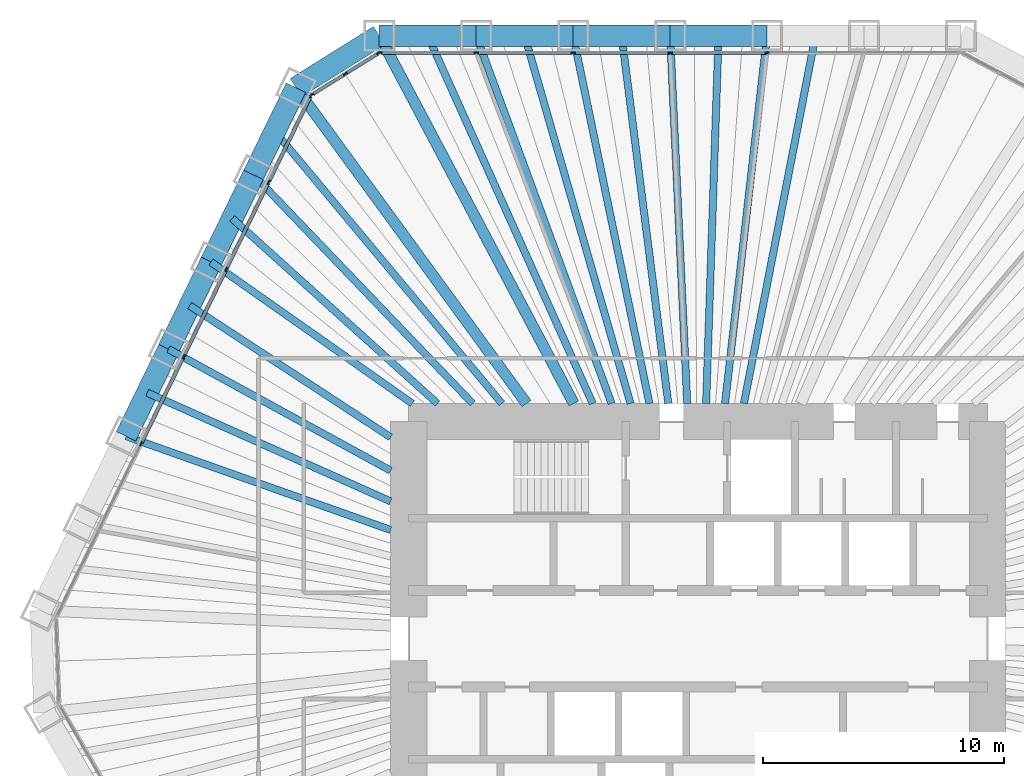
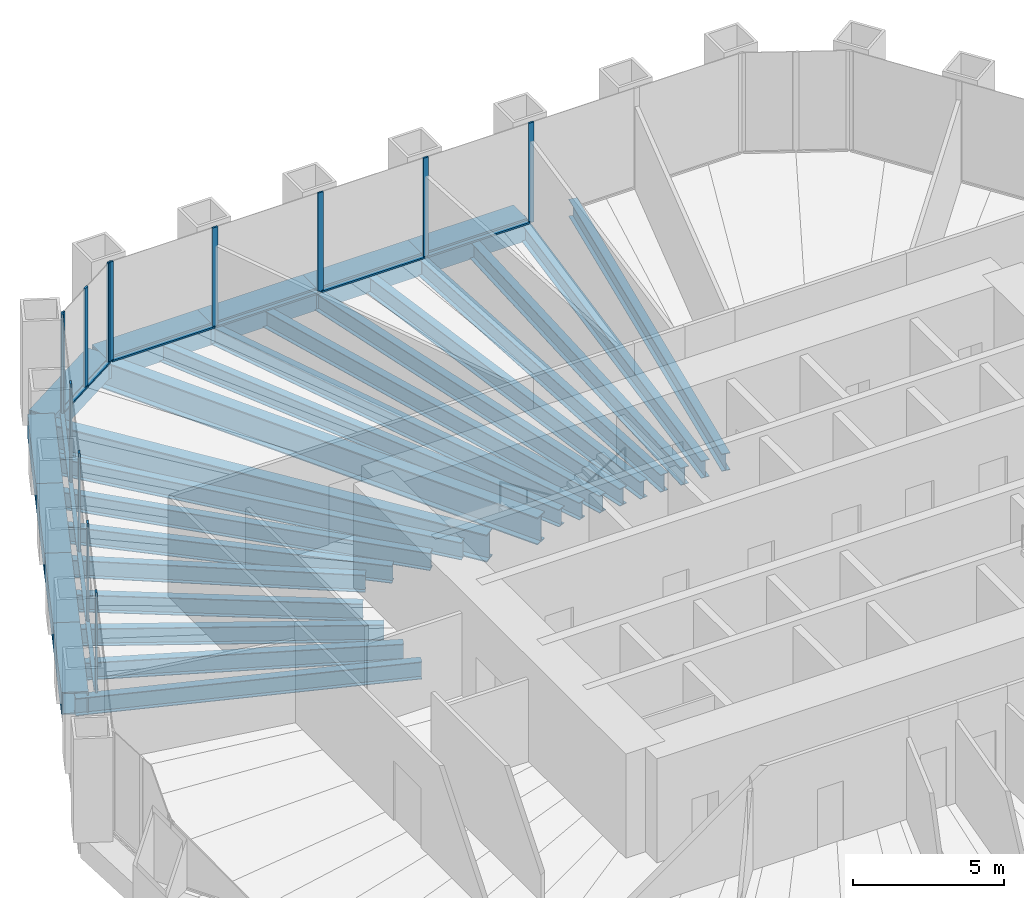
# One storey, part 6 of 13: 28 beams, 23 members, 3 elements without a shape of their own.
"""IFC4 building model written with IfcOpenShell, lengths in metres."""

from ifc_helpers import new_model, si_unit, direction, frame, origin, origin_2d, place, context, subcontext, project, spatial, rectangle, hollow_rectangle, i_section, extrude, material, material_profile, profile_set, type_object, element, aggregate, save


model = new_model("IFC4")

# Units and contexts
model_context = context("Model", 3, precision=1e-05, world=origin(), true_north=direction((0.0, 1.0)))
body_context = subcontext(model_context, "Body", "Model", "MODEL_VIEW")
ifc_project = project(units=[si_unit("LENGTHUNIT", "METRE"), si_unit("AREAUNIT", "SQUARE_METRE"), si_unit("VOLUMEUNIT", "CUBIC_METRE"), si_unit("PLANEANGLEUNIT", "RADIAN"), si_unit("MASSUNIT", "GRAM", prefix="KILO")], contexts=[model_context])

# Site, building, storey
site_placement = place(None, origin())
site = spatial("IfcSite", under=ifc_project, at=site_placement, CompositionType="ELEMENT")
building_placement = place(site_placement, origin())
building = spatial("IfcBuilding", under=site, at=building_placement, Name="Qingtian Harvest Tower", CompositionType="ELEMENT")
storey_placement = place(building_placement, frame((0.0, 0.0, 111.39990234375)))
storey = spatial("IfcBuildingStorey", under=building, at=storey_placement, Name="L22", CompositionType="ELEMENT", Elevation=111.39990234375)

# Beams
ifc_material_1 = material(Name="Steel SM570MC", Category="steel")
ifc_material_profile_1 = material_profile(ifc_material_1, i_section(OverallWidth=0.449951171875, OverallDepth=1.10009765625, WebThickness=0.02197265625, FlangeThickness=0.044921875, at=origin_2d()), Name="H1100x450x22x45")
ifc_profile_set_1 = profile_set([ifc_material_profile_1], Name="Steel SM570MC")
beam_type_1 = type_object("IfcBeamType", Name="Corner floor beam FB8 H1100x450x22x45", PredefinedType="BEAM", material=ifc_profile_set_1)
beam_1_placement = place(storey_placement, frame((-13.2216796875, 25.0, -0.719970703125), z_axis=(0.46750989692, -0.88398783718, 0.0), x_axis=(0.88398783718, 0.46750989692, 0.0)))
element("IfcBeam", 1, at=beam_1_placement, inside=storey, type_object=beam_type_1, Name="Floor beam FB8 N0", PredefinedType="BEAM", context=body_context, shape_type="SweptSolid", body=[
    extrude(i_section(OverallWidth=0.449951171875, OverallDepth=1.10009765625, WebThickness=0.02197265625, FlangeThickness=0.044921875, at=origin_2d()), origin(), (0.0, 0.0, 1.0), 17.25146484375),
])
beam_2_placement = place(storey_placement, frame((-16.673828125, 22.8427734375, -0.719970703125), z_axis=(0.589577703364, -0.807711663712, 0.0), x_axis=(0.807711663712, 0.589577703364, 0.0)))
element("IfcBeam", 2, at=beam_2_placement, inside=storey, type_object=beam_type_1, Name="Floor beam FB8 NW6", PredefinedType="BEAM", context=body_context, shape_type="SweptSolid", body=[
    extrude(i_section(OverallWidth=0.449951171875, OverallDepth=1.10009765625, WebThickness=0.02197265625, FlangeThickness=0.044921875, at=origin_2d()), origin(), (0.0, 0.0, 1.0), 16.209716796875),
])
ifc_material_2 = material(Name="Steel SN490B", Category="steel")
ifc_material_profile_2 = material_profile(ifc_material_2, i_section(OverallWidth=0.300048828125, OverallDepth=0.699951171875, WebThickness=0.012939453125, FlangeThickness=0.02392578125, at=origin_2d()), Name="H700x300x13x24")
ifc_profile_set_2 = profile_set([ifc_material_profile_2], Name="Steel SN490B")
beam_type_2 = type_object("IfcBeamType", Name="Floor beam FB2 H700x300x13x24", PredefinedType="BEAM", material=ifc_profile_set_2)
beam_3_placement = place(storey_placement, frame((-9.20263671875, 25.0, -0.52001953125), z_axis=(0.345440084985, -0.938440806703, 0.0), x_axis=(0.938440806703, 0.345440084985, 0.0)))
element("IfcBeam", 3, at=beam_3_placement, inside=storey, type_object=beam_type_2, Name="Floor beam FB2 N1", PredefinedType="BEAM", context=body_context, shape_type="SweptSolid", body=[
    extrude(i_section(OverallWidth=0.300048828125, OverallDepth=0.699951171875, WebThickness=0.012939453125, FlangeThickness=0.02392578125, at=origin_2d()), origin(), (0.0, 0.0, 1.0), 16.250244140625),
])
beam_4_placement = place(storey_placement, frame((-5.18359375, 25.0, -0.52001953125), z_axis=(0.203032709566, -0.979171955709, 0.0), x_axis=(0.979171955709, 0.203032709566, 0.0)))
element("IfcBeam", 4, at=beam_4_placement, inside=storey, type_object=beam_type_2, Name="Floor beam FB2 N2", PredefinedType="BEAM", context=body_context, shape_type="SweptSolid", body=[
    extrude(i_section(OverallWidth=0.300048828125, OverallDepth=0.699951171875, WebThickness=0.012939453125, FlangeThickness=0.02392578125, at=origin_2d()), origin(), (0.0, 0.0, 1.0), 15.574462890625),
])
beam_5_placement = place(storey_placement, frame((-1.16455078125, 25.0, -0.52001953125), z_axis=(0.046536361684, -0.998916596639, 0.0), x_axis=(0.998916596639, 0.046536361684, 0.0)))
element("IfcBeam", 5, at=beam_5_placement, inside=storey, type_object=beam_type_2, Name="Floor beam FB2 N3", PredefinedType="BEAM", context=body_context, shape_type="SweptSolid", body=[
    extrude(i_section(OverallWidth=0.300048828125, OverallDepth=0.699951171875, WebThickness=0.012939453125, FlangeThickness=0.02392578125, at=origin_2d()), origin(), (0.0, 0.0, 1.0), 15.2666015625),
])
beam_6_placement = place(storey_placement, frame((2.8544921875, 25.0, -0.52001953125), z_axis=(-0.113440722222, -0.993544766249, 0.0), x_axis=(0.993544766249, -0.113440722222, 0.0)))
element("IfcBeam", 6, at=beam_6_placement, inside=storey, type_object=beam_type_2, Name="Floor beam FB2 N4", PredefinedType="BEAM", context=body_context, shape_type="SweptSolid", body=[
    extrude(i_section(OverallWidth=0.300048828125, OverallDepth=0.699951171875, WebThickness=0.012939453125, FlangeThickness=0.02392578125, at=origin_2d()), origin(), (0.0, 0.0, 1.0), 15.34912109375),
])
beam_7_placement = place(storey_placement, frame((-23.72119140625, 8.3935546875, -0.52001953125), z_axis=(0.942723186419, -0.333576068967, 0.0), x_axis=(0.333576068967, 0.942723186419, 0.0)))
element("IfcBeam", 7, at=beam_7_placement, inside=storey, type_object=beam_type_2, Name="Floor beam FB2 NW2", PredefinedType="BEAM", context=body_context, shape_type="SweptSolid", body=[
    extrude(i_section(OverallWidth=0.300048828125, OverallDepth=0.699951171875, WebThickness=0.012939453125, FlangeThickness=0.02392578125, at=origin_2d()), origin(), (0.0, 0.0, 1.0), 11.6376953125),
])
beam_8_placement = place(storey_placement, frame((-21.95947265625, 12.005859375, -0.52001953125), z_axis=(0.877432026785, -0.479700988505, 0.0), x_axis=(0.479700988505, 0.877432026785, 0.0)))
element("IfcBeam", 8, at=beam_8_placement, inside=storey, type_object=beam_type_2, Name="Floor beam FB2 NW3", PredefinedType="BEAM", context=body_context, shape_type="SweptSolid", body=[
    extrude(i_section(OverallWidth=0.300048828125, OverallDepth=0.699951171875, WebThickness=0.012939453125, FlangeThickness=0.02392578125, at=origin_2d()), origin(), (0.0, 0.0, 1.0), 10.495849609375),
])
beam_9_placement = place(storey_placement, frame((-20.197509765625, 15.6181640625, -0.52001953125), z_axis=(0.818080343043, -0.57510394915, 0.0), x_axis=(0.57510394915, 0.818080343043, 0.0)))
element("IfcBeam", 9, at=beam_9_placement, inside=storey, type_object=beam_type_2, Name="Floor beam FB2 NW4", PredefinedType="BEAM", context=body_context, shape_type="SweptSolid", body=[
    extrude(i_section(OverallWidth=0.300048828125, OverallDepth=0.699951171875, WebThickness=0.012939453125, FlangeThickness=0.02392578125, at=origin_2d()), origin(), (0.0, 0.0, 1.0), 10.20361328125),
])
beam_10_placement = place(storey_placement, frame((-18.435791015625, 19.23046875, -0.52001953125), z_axis=(0.69204101057, -0.721858185303, 0.0), x_axis=(0.721858185303, 0.69204101057, 0.0)))
element("IfcBeam", 10, at=beam_10_placement, inside=storey, type_object=beam_type_2, Name="Floor beam FB2 NW5", PredefinedType="BEAM", context=body_context, shape_type="SweptSolid", body=[
    extrude(i_section(OverallWidth=0.300048828125, OverallDepth=0.699951171875, WebThickness=0.012939453125, FlangeThickness=0.02392578125, at=origin_2d()), origin(), (0.0, 0.0, 1.0), 13.13330078125),
])
ifc_material_3 = material(Name="Steel SN490B", Category="steel")
ifc_material_profile_3 = material_profile(ifc_material_3, i_section(OverallWidth=0.300048828125, OverallDepth=0.699951171875, WebThickness=0.012939453125, FlangeThickness=0.02392578125, at=origin_2d()), Name="H700x300x13x24")
ifc_profile_set_3 = profile_set([ifc_material_profile_3], Name="Steel SN490B")
beam_type_3 = type_object("IfcBeamType", Name="Floor joist J2 H700x300x13x24", PredefinedType="JOIST", material=ifc_profile_set_3)
beam_11_placement = place(storey_placement, frame((-11.212158203125, 25.0, -0.52001953125), z_axis=(0.409212761683, -0.912438992852, 0.0), x_axis=(0.912438992852, 0.409212761683, 0.0)))
element("IfcBeam", 11, at=beam_11_placement, inside=storey, type_object=beam_type_3, Name="Floor joist J2 N0", PredefinedType="JOIST", context=body_context, shape_type="SweptSolid", body=[
    extrude(i_section(OverallWidth=0.300048828125, OverallDepth=0.699951171875, WebThickness=0.012939453125, FlangeThickness=0.02392578125, at=origin_2d()), origin(), (0.0, 0.0, 1.0), 16.71337890625),
])
beam_12_placement = place(storey_placement, frame((-7.193115234375, 25.0, -0.52001953125), z_axis=(0.276500682027, -0.961013721462, 0.0), x_axis=(0.961013721462, 0.276500682027, 0.0)))
element("IfcBeam", 12, at=beam_12_placement, inside=storey, type_object=beam_type_3, Name="Floor joist J2 N1", PredefinedType="JOIST", context=body_context, shape_type="SweptSolid", body=[
    extrude(i_section(OverallWidth=0.300048828125, OverallDepth=0.699951171875, WebThickness=0.012939453125, FlangeThickness=0.02392578125, at=origin_2d()), origin(), (0.0, 0.0, 1.0), 15.86865234375),
])
beam_13_placement = place(storey_placement, frame((-3.174072265625, 25.0, -0.52001953125), z_axis=(0.125957899702, -0.992035587821, 0.0), x_axis=(0.992035587821, 0.125957899702, 0.0)))
element("IfcBeam", 13, at=beam_13_placement, inside=storey, type_object=beam_type_3, Name="Floor joist J2 N2", PredefinedType="JOIST", context=body_context, shape_type="SweptSolid", body=[
    extrude(i_section(OverallWidth=0.300048828125, OverallDepth=0.699951171875, WebThickness=0.012939453125, FlangeThickness=0.02392578125, at=origin_2d()), origin(), (0.0, 0.0, 1.0), 15.372314453125),
])
beam_14_placement = place(storey_placement, frame((0.844970703125, 25.0, -0.52001953125), z_axis=(-0.033776183237, -0.999429421943, 0.0), x_axis=(0.999429421943, -0.033776183237, 0.0)))
element("IfcBeam", 14, at=beam_14_placement, inside=storey, type_object=beam_type_3, Name="Floor joist J2 N3", PredefinedType="JOIST", context=body_context, shape_type="SweptSolid", body=[
    extrude(i_section(OverallWidth=0.300048828125, OverallDepth=0.699951171875, WebThickness=0.012939453125, FlangeThickness=0.02392578125, at=origin_2d()), origin(), (0.0, 0.0, 1.0), 15.2587890625),
])
beam_15_placement = place(storey_placement, frame((4.864013671875, 25.0, -0.52001953125), z_axis=(-0.190979017217, -0.981594119269, 0.0), x_axis=(0.981594119269, -0.190979017217, 0.0)))
element("IfcBeam", 15, at=beam_15_placement, inside=storey, type_object=beam_type_3, Name="Floor joist J2 N4", PredefinedType="JOIST", context=body_context, shape_type="SweptSolid", body=[
    extrude(i_section(OverallWidth=0.300048828125, OverallDepth=0.699951171875, WebThickness=0.012939453125, FlangeThickness=0.02392578125, at=origin_2d()), origin(), (0.0, 0.0, 1.0), 15.535888671875),
])
beam_16_placement = place(storey_placement, frame((-22.84033203125, 10.19970703125, -0.52001953125), z_axis=(0.913095877166, -0.407744919162, 0.0), x_axis=(0.407744919162, 0.913095877166, 0.0)))
element("IfcBeam", 16, at=beam_16_placement, inside=storey, type_object=beam_type_3, Name="Floor joist J2 NW2", PredefinedType="JOIST", context=body_context, shape_type="SweptSolid", body=[
    extrude(i_section(OverallWidth=0.300048828125, OverallDepth=0.699951171875, WebThickness=0.012939453125, FlangeThickness=0.02392578125, at=origin_2d()), origin(), (0.0, 0.0, 1.0), 11.05078125),
])
beam_17_placement = place(storey_placement, frame((-21.078369140625, 13.81201171875, -0.52001953125), z_axis=(0.836426246046, -0.548079496903, 0.0), x_axis=(0.548079496903, 0.836426246046, 0.0)))
element("IfcBeam", 17, at=beam_17_placement, inside=storey, type_object=beam_type_3, Name="Floor joist J2 NW3", PredefinedType="JOIST", context=body_context, shape_type="SweptSolid", body=[
    extrude(i_section(OverallWidth=0.300048828125, OverallDepth=0.699951171875, WebThickness=0.012939453125, FlangeThickness=0.02392578125, at=origin_2d()), origin(), (0.0, 0.0, 1.0), 9.95703125),
])
beam_18_placement = place(storey_placement, frame((-19.316650390625, 17.42431640625, -0.52001953125), z_axis=(0.742543540775, -0.669797797886, 0.0), x_axis=(0.669797797886, 0.742543540775, 0.0)))
element("IfcBeam", 18, at=beam_18_placement, inside=storey, type_object=beam_type_3, Name="Floor joist J2 NW4", PredefinedType="JOIST", context=body_context, shape_type="SweptSolid", body=[
    extrude(i_section(OverallWidth=0.300048828125, OverallDepth=0.699951171875, WebThickness=0.012939453125, FlangeThickness=0.02392578125, at=origin_2d()), origin(), (0.0, 0.0, 1.0), 11.457763671875),
])
beam_19_placement = place(storey_placement, frame((-17.5546875, 21.03662109375, -0.52001953125), z_axis=(0.640703730007, -0.767788206704, 0.0), x_axis=(0.767788206704, 0.640703730007, 0.0)))
element("IfcBeam", 19, at=beam_19_placement, inside=storey, type_object=beam_type_3, Name="Floor joist J2 NW5", PredefinedType="JOIST", context=body_context, shape_type="SweptSolid", body=[
    extrude(i_section(OverallWidth=0.300048828125, OverallDepth=0.699951171875, WebThickness=0.012939453125, FlangeThickness=0.02392578125, at=origin_2d()), origin(), (0.0, 0.0, 1.0), 14.7001953125),
])

# Curtain wall, members
ifc_material_4 = material(Name="Bronze-anodised aluminium curtain wall", Category="aluminium")
curtain_wall_type = type_object("IfcCurtainWallType", Name="Curtain wall CW4 office", PredefinedType="USERDEFINED", material=ifc_material_4)
curtain_wall_1_placement = place(storey_placement, origin())
curtain_wall_1 = element("IfcCurtainWall", 20, at=curtain_wall_1_placement, inside=storey, type_object=curtain_wall_type, Name="Curtain wall CW4 L22 N0-5", ObjectType="RECESSED CURTAIN WALL", PredefinedType="USERDEFINED")
ifc_material_5 = material(Name="Bronze-anodised aluminium mullion", Category="aluminium")
ifc_material_profile_4 = material_profile(ifc_material_5, rectangle(XDim=0.06494140625, YDim=0.199951171875, at=origin_2d()), Name="AL 65x200")
ifc_profile_set_4 = profile_set([ifc_material_profile_4], Name="Bronze-anodised aluminium mullion")
member_type_1 = type_object("IfcMemberType", Name="Mullion CWM 65x200", PredefinedType="MULLION", material=ifc_profile_set_4)
member_1_placement = place(storey_placement, frame((-13.189208984375, 24.300048828125, 0.0), z_axis=(0.0, 0.0, 1.0), x_axis=(0.0, 1.0, 0.0)))
member_1 = element("IfcMember", 21, at=member_1_placement, type_object=member_type_1, Name="CW4 mullion 1", PredefinedType="MULLION", context=body_context, shape_type="SweptSolid", body=[
    extrude(rectangle(XDim=0.06494140625, YDim=0.199951171875, at=origin_2d()), origin(), (0.0, 0.0, 1.0), 4.030029296875),
])
member_2_placement = place(storey_placement, frame((-9.20263671875, 24.300048828125, 0.0), z_axis=(0.0, 0.0, 1.0), x_axis=(0.0, 1.0, 0.0)))
member_2 = element("IfcMember", 22, at=member_2_placement, type_object=member_type_1, Name="CW4 mullion 2", PredefinedType="MULLION", context=body_context, shape_type="SweptSolid", body=[
    extrude(rectangle(XDim=0.06494140625, YDim=0.199951171875, at=origin_2d()), origin(), (0.0, 0.0, 1.0), 4.030029296875),
])
member_3_placement = place(storey_placement, frame((-5.18359375, 24.300048828125, 0.0), z_axis=(0.0, 0.0, 1.0), x_axis=(0.0, 1.0, 0.0)))
member_3 = element("IfcMember", 23, at=member_3_placement, type_object=member_type_1, Name="CW4 mullion 3", PredefinedType="MULLION", context=body_context, shape_type="SweptSolid", body=[
    extrude(rectangle(XDim=0.06494140625, YDim=0.199951171875, at=origin_2d()), origin(), (0.0, 0.0, 1.0), 4.030029296875),
])
member_4_placement = place(storey_placement, frame((-1.16455078125, 24.300048828125, 0.0), z_axis=(0.0, 0.0, 1.0), x_axis=(0.0, 1.0, 0.0)))
member_4 = element("IfcMember", 24, at=member_4_placement, type_object=member_type_1, Name="CW4 mullion 4", PredefinedType="MULLION", context=body_context, shape_type="SweptSolid", body=[
    extrude(rectangle(XDim=0.06494140625, YDim=0.199951171875, at=origin_2d()), origin(), (0.0, 0.0, 1.0), 4.030029296875),
])
member_5_placement = place(storey_placement, frame((2.8544921875, 24.300048828125, 0.0), z_axis=(0.0, 0.0, 1.0), x_axis=(0.0, 1.0, 0.0)))
member_5 = element("IfcMember", 25, at=member_5_placement, type_object=member_type_1, Name="CW4 mullion 5", PredefinedType="MULLION", context=body_context, shape_type="SweptSolid", body=[
    extrude(rectangle(XDim=0.06494140625, YDim=0.199951171875, at=origin_2d()), origin(), (0.0, 0.0, 1.0), 4.030029296875),
])

curtain_wall_2_placement = place(storey_placement, origin())
curtain_wall_2 = element("IfcCurtainWall", 26, at=curtain_wall_2_placement, inside=storey, type_object=curtain_wall_type, Name="Curtain wall CW4 L22 NW0-5", ObjectType="RECESSED CURTAIN WALL", PredefinedType="USERDEFINED")
member_6_placement = place(storey_placement, frame((-23.092041015625, 8.086669921875, 0.0), z_axis=(0.0, 0.0, 1.0), x_axis=(-0.898794046299, 0.438371146789, 0.0)))
member_6 = element("IfcMember", 27, at=member_6_placement, type_object=member_type_1, Name="CW4 mullion 3", PredefinedType="MULLION", context=body_context, shape_type="SweptSolid", body=[
    extrude(rectangle(XDim=0.06494140625, YDim=0.199951171875, at=origin_2d()), origin(), (0.0, 0.0, 1.0), 4.030029296875),
])
member_7_placement = place(storey_placement, frame((-21.330322265625, 11.698974609375, 0.0), z_axis=(0.0, 0.0, 1.0), x_axis=(-0.898794046299, 0.438371146789, 0.0)))
member_7 = element("IfcMember", 28, at=member_7_placement, type_object=member_type_1, Name="CW4 mullion 4", PredefinedType="MULLION", context=body_context, shape_type="SweptSolid", body=[
    extrude(rectangle(XDim=0.06494140625, YDim=0.199951171875, at=origin_2d()), origin(), (0.0, 0.0, 1.0), 4.030029296875),
])
member_8_placement = place(storey_placement, frame((-19.568359375, 15.311279296875, 0.0), z_axis=(0.0, 0.0, 1.0), x_axis=(-0.898794046299, 0.438371146789, 0.0)))
member_8 = element("IfcMember", 29, at=member_8_placement, type_object=member_type_1, Name="CW4 mullion 5", PredefinedType="MULLION", context=body_context, shape_type="SweptSolid", body=[
    extrude(rectangle(XDim=0.06494140625, YDim=0.199951171875, at=origin_2d()), origin(), (0.0, 0.0, 1.0), 4.030029296875),
])
member_9_placement = place(storey_placement, frame((-17.806396484375, 18.923828125, 0.0), z_axis=(0.0, 0.0, 1.0), x_axis=(-0.898794046299, 0.438371146789, 0.0)))
member_9 = element("IfcMember", 30, at=member_9_placement, type_object=member_type_1, Name="CW4 mullion 6", PredefinedType="MULLION", context=body_context, shape_type="SweptSolid", body=[
    extrude(rectangle(XDim=0.06494140625, YDim=0.199951171875, at=origin_2d()), origin(), (0.0, 0.0, 1.0), 4.030029296875),
])
member_10_placement = place(storey_placement, frame((-16.058837890625, 22.5068359375, 0.0), z_axis=(0.0, 0.0, 1.0), x_axis=(-0.898794046299, 0.438371146789, 0.0)))
member_10 = element("IfcMember", 31, at=member_10_placement, type_object=member_type_1, Name="CW4 mullion 7", PredefinedType="MULLION", context=body_context, shape_type="SweptSolid", body=[
    extrude(rectangle(XDim=0.06494140625, YDim=0.199951171875, at=origin_2d()), origin(), (0.0, 0.0, 1.0), 4.030029296875),
])

curtain_wall_3_placement = place(storey_placement, origin())
curtain_wall_3 = element("IfcCurtainWall", 32, at=curtain_wall_3_placement, inside=storey, type_object=curtain_wall_type, Name="Curtain wall CW4 L22 NWC", ObjectType="RECESSED CURTAIN WALL", PredefinedType="USERDEFINED")
member_11_placement = place(storey_placement, frame((-16.01708984375, 22.55322265625, 0.0), z_axis=(0.0, 0.0, 1.0), x_axis=(-0.529919264233, 0.848048096156, 0.0)))
member_11 = element("IfcMember", 33, at=member_11_placement, type_object=member_type_1, Name="CW4 mullion 1", PredefinedType="MULLION", context=body_context, shape_type="SweptSolid", body=[
    extrude(rectangle(XDim=0.06494140625, YDim=0.199951171875, at=origin_2d()), origin(), (0.0, 0.0, 1.0), 4.030029296875),
])
member_12_placement = place(storey_placement, frame((-14.63330078125, 23.41796875, 0.0), z_axis=(0.0, 0.0, 1.0), x_axis=(-0.529919264233, 0.848048096156, 0.0)))
member_12 = element("IfcMember", 34, at=member_12_placement, type_object=member_type_1, Name="CW4 mullion 2", PredefinedType="MULLION", context=body_context, shape_type="SweptSolid", body=[
    extrude(rectangle(XDim=0.06494140625, YDim=0.199951171875, at=origin_2d()), origin(), (0.0, 0.0, 1.0), 4.030029296875),
])
member_13_placement = place(storey_placement, frame((-13.249267578125, 24.28271484375, 0.0), z_axis=(0.0, 0.0, 1.0), x_axis=(-0.529919264233, 0.848048096156, 0.0)))
member_13 = element("IfcMember", 35, at=member_13_placement, type_object=member_type_1, Name="CW4 mullion 3", PredefinedType="MULLION", context=body_context, shape_type="SweptSolid", body=[
    extrude(rectangle(XDim=0.06494140625, YDim=0.199951171875, at=origin_2d()), origin(), (0.0, 0.0, 1.0), 4.030029296875),
])

# Beams
ifc_material_6 = material(Name="Steel SM570MC", Category="steel")
ifc_material_profile_5 = material_profile(ifc_material_6, hollow_rectangle(XDim=0.89990234375, YDim=0.89990234375, WallThickness=0.050048828125, at=origin_2d()), Name="BOX900x900x50")
ifc_profile_set_5 = profile_set([ifc_material_profile_5], Name="Steel SM570MC")
beam_type_4 = type_object("IfcBeamType", Name="Transition spandrel SB6 BOX900x900x50", PredefinedType="SPANDREL", material=ifc_profile_set_5)
for number, where, z_axis, x_axis, name in (
    (36, (-13.2216796875, 25.0, -0.449951171875), (1.0, 0.0, 0.0), (0.0, 1.0, 0.0), "Spandrel SB6 N0"),
    (37, (-9.20263671875, 25.0, -0.449951171875), (1.0, 0.0, 0.0), (0.0, 1.0, 0.0), "Spandrel SB6 N1"),
    (38, (-5.18359375, 25.0, -0.449951171875), (1.0, 0.0, 0.0), (0.0, 1.0, 0.0), "Spandrel SB6 N2"),
    (39, (-1.16455078125, 25.0, -0.449951171875), (1.0, 0.0, 0.0), (0.0, 1.0, 0.0), "Spandrel SB6 N3"),
    (40, (-23.72119140625, 8.3935546875, -0.449951171875), (0.438347033158, 0.898805806902, 0.0), (-0.898805806902, 0.438347033158, 0.0), "Spandrel SB6 NW2"),
    (41, (-21.95947265625, 12.005859375, -0.449951171875), (0.438396105405, 0.89878187274, 0.0), (-0.89878187274, 0.438396105405, 0.0), "Spandrel SB6 NW3"),
    (42, (-20.197509765625, 15.6181640625, -0.449951171875), (0.438347033158, 0.898805806902, 0.0), (-0.898805806902, 0.438347033158, 0.0), "Spandrel SB6 NW4"),
    (43, (-18.435791015625, 19.23046875, -0.449951171875), (0.438396105405, 0.89878187274, 0.0), (-0.89878187274, 0.438396105405, 0.0), "Spandrel SB6 NW5"),
):
    element("IfcBeam", number, at=place(storey_placement, frame(where, z_axis=z_axis, x_axis=x_axis)), inside=storey, type_object=beam_type_4, Name=name, PredefinedType="SPANDREL", context=body_context, shape_type="SweptSolid", body=[
        extrude(hollow_rectangle(XDim=0.89990234375, YDim=0.89990234375, WallThickness=0.050048828125, at=origin_2d()), origin(), (0.0, 0.0, 1.0), 4.01904296875),
    ])
beam_20_placement = place(storey_placement, frame((-16.673828125, 22.8427734375, -0.449951171875), z_axis=(0.848038733752, 0.529934246919, 0.0), x_axis=(-0.529934246919, 0.848038733752, 0.0)))
element("IfcBeam", 44, at=beam_20_placement, inside=storey, type_object=beam_type_4, Name="Spandrel SB6 NWC", PredefinedType="SPANDREL", context=body_context, shape_type="SweptSolid", body=[
    extrude(hollow_rectangle(XDim=0.89990234375, YDim=0.89990234375, WallThickness=0.050048828125, at=origin_2d()), origin(), (0.0, 0.0, 1.0), 4.07080078125),
])

# Member
ifc_material_7 = material(Name="Bronze-anodised aluminium transom", Category="aluminium")
ifc_material_profile_6 = material_profile(ifc_material_7, rectangle(XDim=0.14990234375, YDim=0.06494140625, at=origin_2d()), Name="AL 65x150")
ifc_profile_set_6 = profile_set([ifc_material_profile_6], Name="Bronze-anodised aluminium transom")
member_type_2 = type_object("IfcMemberType", Name="Transom CWT 65x150", PredefinedType="USERDEFINED", material=ifc_profile_set_6)
member_14_placement = place(storey_placement, frame((-13.15673828125, 24.300048828125, 0.03271484375), z_axis=(1.0, 0.0, 0.0), x_axis=(0.0, 1.0, 0.0)))
member_14 = element("IfcMember", 45, at=member_14_placement, type_object=member_type_2, Name="CW4 transom 1.1", ObjectType="TRANSOM", PredefinedType="USERDEFINED", context=body_context, shape_type="SweptSolid", body=[
    extrude(rectangle(XDim=0.14990234375, YDim=0.06494140625, at=origin_2d()), origin(), (0.0, 0.0, 1.0), 3.921630859375),
])

member_15_placement = place(storey_placement, frame((-9.170166015625, 24.300048828125, 0.03271484375), z_axis=(1.0, 0.0, 0.0), x_axis=(0.0, 1.0, 0.0)))
member_15 = element("IfcMember", 46, at=member_15_placement, type_object=member_type_2, Name="CW4 transom 2.1", ObjectType="TRANSOM", PredefinedType="USERDEFINED", context=body_context, shape_type="SweptSolid", body=[
    extrude(rectangle(XDim=0.14990234375, YDim=0.06494140625, at=origin_2d()), origin(), (0.0, 0.0, 1.0), 3.9541015625),
])

member_16_placement = place(storey_placement, frame((-5.151123046875, 24.300048828125, 0.03271484375), z_axis=(1.0, 0.0, 0.0), x_axis=(0.0, 1.0, 0.0)))
member_16 = element("IfcMember", 47, at=member_16_placement, type_object=member_type_2, Name="CW4 transom 3.1", ObjectType="TRANSOM", PredefinedType="USERDEFINED", context=body_context, shape_type="SweptSolid", body=[
    extrude(rectangle(XDim=0.14990234375, YDim=0.06494140625, at=origin_2d()), origin(), (0.0, 0.0, 1.0), 3.9541015625),
])

member_17_placement = place(storey_placement, frame((-1.132080078125, 24.300048828125, 0.03271484375), z_axis=(1.0, 0.0, 0.0), x_axis=(0.0, 1.0, 0.0)))
member_17 = element("IfcMember", 48, at=member_17_placement, type_object=member_type_2, Name="CW4 transom 4.1", ObjectType="TRANSOM", PredefinedType="USERDEFINED", context=body_context, shape_type="SweptSolid", body=[
    extrude(rectangle(XDim=0.14990234375, YDim=0.06494140625, at=origin_2d()), origin(), (0.0, 0.0, 1.0), 3.9541015625),
])

aggregate(curtain_wall_1, [member_1, member_2, member_3, member_4, member_5, member_14, member_15, member_16, member_17])

member_18_placement = place(storey_placement, frame((-23.077880859375, 8.115966796875, 0.03271484375), z_axis=(0.438374972828, 0.898792180205, 0.0), x_axis=(-0.898792180205, 0.438374972828, 0.0)))
member_18 = element("IfcMember", 49, at=member_18_placement, type_object=member_type_2, Name="CW4 transom 3.1", ObjectType="TRANSOM", PredefinedType="USERDEFINED", context=body_context, shape_type="SweptSolid", body=[
    extrude(rectangle(XDim=0.14990234375, YDim=0.06494140625, at=origin_2d()), origin(), (0.0, 0.0, 1.0), 3.9541015625),
])

member_19_placement = place(storey_placement, frame((-21.31591796875, 11.728271484375, 0.03271484375), z_axis=(0.438374972828, 0.898792180205, 0.0), x_axis=(-0.898792180205, 0.438374972828, 0.0)))
member_19 = element("IfcMember", 50, at=member_19_placement, type_object=member_type_2, Name="CW4 transom 4.1", ObjectType="TRANSOM", PredefinedType="USERDEFINED", context=body_context, shape_type="SweptSolid", body=[
    extrude(rectangle(XDim=0.14990234375, YDim=0.06494140625, at=origin_2d()), origin(), (0.0, 0.0, 1.0), 3.9541015625),
])

member_20_placement = place(storey_placement, frame((-19.55419921875, 15.340576171875, 0.03271484375), z_axis=(0.438374972828, 0.898792180205, 0.0), x_axis=(-0.898792180205, 0.438374972828, 0.0)))
member_20 = element("IfcMember", 51, at=member_20_placement, type_object=member_type_2, Name="CW4 transom 5.1", ObjectType="TRANSOM", PredefinedType="USERDEFINED", context=body_context, shape_type="SweptSolid", body=[
    extrude(rectangle(XDim=0.14990234375, YDim=0.06494140625, at=origin_2d()), origin(), (0.0, 0.0, 1.0), 3.9541015625),
])

member_21_placement = place(storey_placement, frame((-17.792236328125, 18.952880859375, 0.03271484375), z_axis=(0.438351261745, 0.898803744611, 0.0), x_axis=(-0.898803744611, 0.438351261745, 0.0)))
member_21 = element("IfcMember", 52, at=member_21_placement, type_object=member_type_2, Name="CW4 transom 6.1", ObjectType="TRANSOM", PredefinedType="USERDEFINED", context=body_context, shape_type="SweptSolid", body=[
    extrude(rectangle(XDim=0.14990234375, YDim=0.06494140625, at=origin_2d()), origin(), (0.0, 0.0, 1.0), 3.92138671875),
])

aggregate(curtain_wall_2, [member_6, member_7, member_8, member_9, member_10, member_18, member_19, member_20, member_21])

member_22_placement = place(storey_placement, frame((-15.989501953125, 22.570556640625, 0.03271484375), z_axis=(0.848059570903, 0.529900900357, 0.0), x_axis=(-0.529900900357, 0.848059570903, 0.0)))
member_22 = element("IfcMember", 53, at=member_22_placement, type_object=member_type_2, Name="CW4 transom 1.1", ObjectType="TRANSOM", PredefinedType="USERDEFINED", context=body_context, shape_type="SweptSolid", body=[
    extrude(rectangle(XDim=0.14990234375, YDim=0.06494140625, at=origin_2d()), origin(), (0.0, 0.0, 1.0), 1.56689453125),
])

member_23_placement = place(storey_placement, frame((-14.605712890625, 23.435302734375, 0.03271484375), z_axis=(0.848059570903, 0.529900900357, 0.0), x_axis=(-0.529900900357, 0.848059570903, 0.0)))
member_23 = element("IfcMember", 54, at=member_23_placement, type_object=member_type_2, Name="CW4 transom 2.1", ObjectType="TRANSOM", PredefinedType="USERDEFINED", context=body_context, shape_type="SweptSolid", body=[
    extrude(rectangle(XDim=0.14990234375, YDim=0.06494140625, at=origin_2d()), origin(), (0.0, 0.0, 1.0), 1.56689453125),
])

aggregate(curtain_wall_3, [member_11, member_12, member_13, member_22, member_23])

save(model, "model.ifc")
